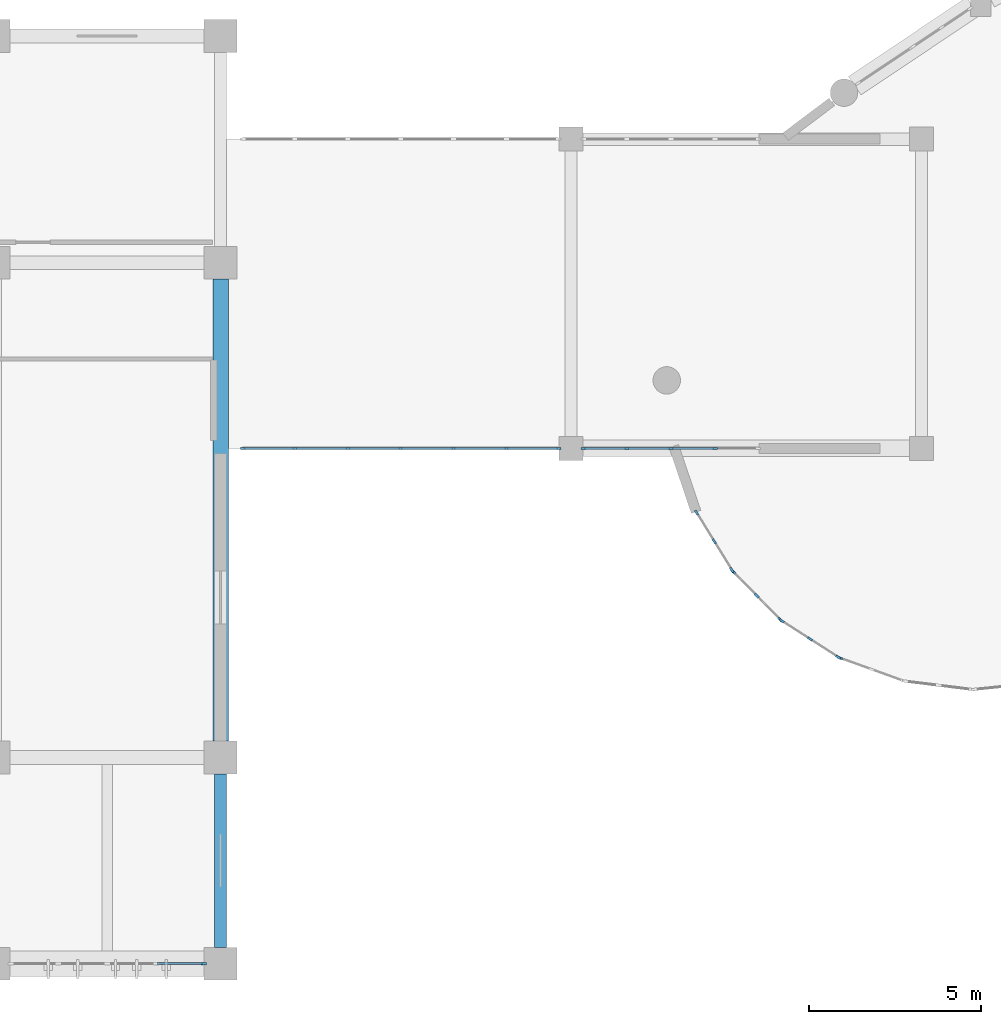
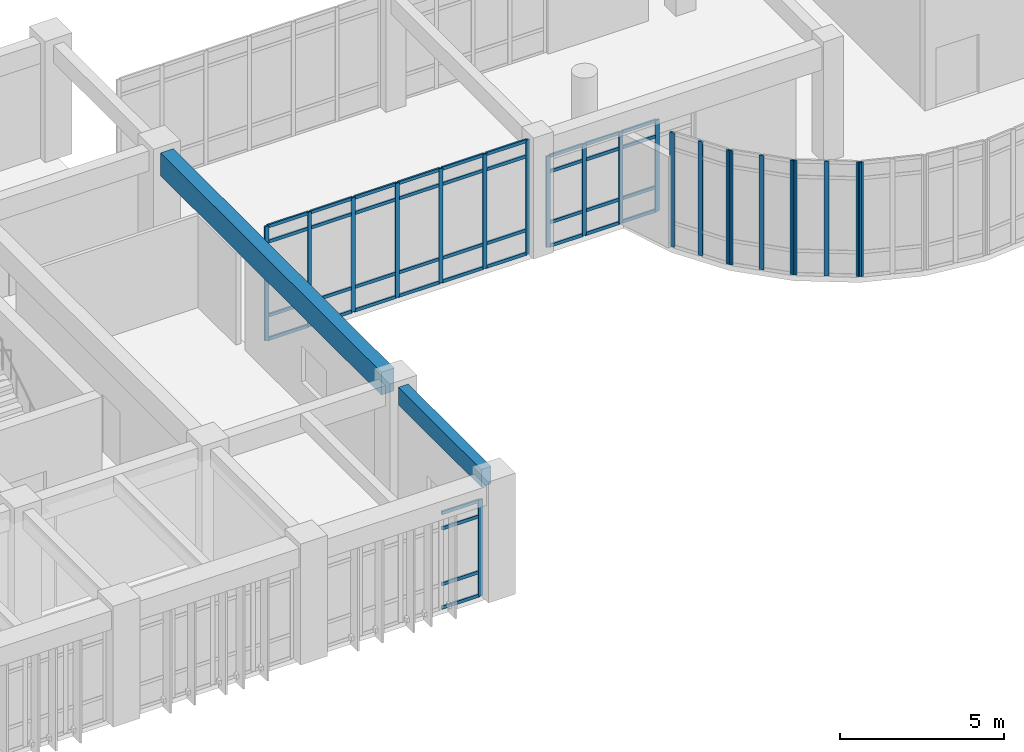
# One storey, part 7 of 57: 62 members, 2 beams, 7 elements without a shape of their own.
"""IFC4 building model written with IfcOpenShell, lengths in metres."""

from ifc_helpers import new_model, si_unit, direction, frame, origin, origin_2d, place, context, subcontext, project, spatial, rectangle, extrude, material, layer, layer_set, material_profile, profile_set, type_object, element, aggregate, save


model = new_model("IFC4")

# Units and contexts
model_context = context("Model", 3, precision=1e-05, world=origin(), true_north=direction((0.0, 1.0)))
body_context = subcontext(model_context, "Body", "Model", "MODEL_VIEW")
ifc_project = project(units=[si_unit("LENGTHUNIT", "METRE"), si_unit("AREAUNIT", "SQUARE_METRE"), si_unit("VOLUMEUNIT", "CUBIC_METRE"), si_unit("PLANEANGLEUNIT", "RADIAN"), si_unit("MASSUNIT", "GRAM", prefix="KILO")], contexts=[model_context])

# Site, building, storey
site_placement = place(None, origin())
site = spatial("IfcSite", under=ifc_project, at=site_placement, CompositionType="ELEMENT")
building_placement = place(site_placement, origin())
building = spatial("IfcBuilding", under=site, at=building_placement, Name="Miralva Faculty of Natural Sciences", CompositionType="ELEMENT")
storey_placement = place(building_placement, frame((0.0, 0.0, 15.0)))
storey = spatial("IfcBuildingStorey", under=building, at=storey_placement, Name="L03", CompositionType="ELEMENT", Elevation=15.0)

# Beams
ifc_material_1 = material(Name="Concrete C40/50", Category="concrete")
ifc_material_profile_1 = material_profile(ifc_material_1, rectangle(XDim=0.449951171875, YDim=0.85009765625, at=origin_2d()), Name="RC 450x850")
ifc_profile_set_1 = profile_set([ifc_material_profile_1], Name="Concrete C40/50")
beam_type_1 = type_object("IfcBeamType", Name="BM-B01", PredefinedType="BEAM", material=ifc_profile_set_1)
beam_1_placement = place(storey_placement, frame((36.0, 9.47509765625, 3.85498046875), z_axis=(0.0, 1.0, 0.0), x_axis=(-1.0, 0.0, 0.0)))
element("IfcBeam", 1, at=beam_1_placement, inside=storey, type_object=beam_type_1, Name="Girder NS L03-108", PredefinedType="BEAM", context=body_context, shape_type="SweptSolid", body=[
    extrude(rectangle(XDim=0.449951171875, YDim=0.85009765625, at=origin_2d()), origin(), (0.0, 0.0, 1.0), 13.449951171875),
])
ifc_material_profile_2 = material_profile(ifc_material_1, rectangle(XDim=0.35009765625, YDim=0.64990234375, at=origin_2d()), Name="RC 350x650")
ifc_profile_set_2 = profile_set([ifc_material_profile_2], Name="Concrete C40/50")
beam_type_2 = type_object("IfcBeamType", Name="BM-B05", PredefinedType="BEAM", material=ifc_profile_set_2)
beam_2_placement = place(storey_placement, frame((36.0, 3.47509765625, 3.955078125), z_axis=(0.0, 1.0, 0.0), x_axis=(-1.0, 0.0, 0.0)))
element("IfcBeam", 2, at=beam_2_placement, inside=storey, type_object=beam_type_2, Name="Girder NS L03-107", PredefinedType="BEAM", context=body_context, shape_type="SweptSolid", body=[
    extrude(rectangle(XDim=0.35009765625, YDim=0.64990234375, at=origin_2d()), origin(), (0.0, 0.0, 1.0), 5.0498046875),
])

# Curtain wall, member
ifc_material_2 = material(Name="Laminated solar-control glass", Category="glass")
ifc_layer_1 = layer(ifc_material_2, 0.179931640625, Name="CW-RND-L03")
ifc_layer_set_1 = layer_set([ifc_layer_1], Name="Laminated solar-control glass")
curtain_wall_type_1 = type_object("IfcCurtainWallType", Name="CW-RND-L03", PredefinedType="USERDEFINED", material=ifc_layer_set_1)
curtain_wall_1_placement = place(storey_placement, origin())
curtain_wall_1 = element("IfcCurtainWall", 3, at=curtain_wall_1_placement, inside=storey, type_object=curtain_wall_type_1, Name="Curtain wall CW-06 L03-145", ObjectType="UNITISED CURTAIN WALL", PredefinedType="USERDEFINED")
ifc_material_3 = material(Name="Anodised aluminium", Category="aluminium")
ifc_material_profile_3 = material_profile(ifc_material_3, rectangle(XDim=0.06494140625, YDim=0.159912109375, at=origin_2d()), Name="MULLION 65x160")
ifc_profile_set_3 = profile_set([ifc_material_profile_3], Name="Anodised aluminium")
member_type_1 = type_object("IfcMemberType", Name="CW-M02", PredefinedType="MULLION", material=ifc_profile_set_3)
member_1_placement = place(storey_placement, frame((54.030517578125, 11.896240234375, 0.0), z_axis=(0.0, 0.0, 1.0), x_axis=(0.339695547876, 0.940535451088, 0.0)))
member_1 = element("IfcMember", 4, at=member_1_placement, type_object=member_type_1, Name="CW-06 mullion 1", PredefinedType="MULLION", context=body_context, shape_type="SweptSolid", body=[
    extrude(rectangle(XDim=0.06494140625, YDim=0.159912109375, at=origin_2d()), origin(), (0.0, 0.0, 1.0), 4.25),
])
aggregate(curtain_wall_1, [member_1])

# Curtain wall, members
curtain_wall_2_placement = place(storey_placement, origin())
curtain_wall_2 = element("IfcCurtainWall", 5, at=curtain_wall_2_placement, inside=storey, type_object=curtain_wall_type_1, Name="Curtain wall CW-06 L03-146", ObjectType="UNITISED CURTAIN WALL", PredefinedType="USERDEFINED")
member_2_placement = place(storey_placement, frame((52.33154296875, 12.978759765625, 0.0), z_axis=(0.0, 0.0, 1.0), x_axis=(0.540444854725, 0.841379438185, 0.0)))
member_2 = element("IfcMember", 6, at=member_2_placement, type_object=member_type_1, Name="CW-06 mullion 1", PredefinedType="MULLION", context=body_context, shape_type="SweptSolid", body=[
    extrude(rectangle(XDim=0.06494140625, YDim=0.159912109375, at=origin_2d()), origin(), (0.0, 0.0, 1.0), 4.25),
])
member_3_placement = place(storey_placement, frame((53.154296875, 12.450439453125, 0.0), z_axis=(0.0, 0.0, 1.0), x_axis=(0.540444854725, 0.841379438185, 0.0)))
member_3 = element("IfcMember", 7, at=member_3_placement, type_object=member_type_1, Name="CW-06 mullion 2", PredefinedType="MULLION", context=body_context, shape_type="SweptSolid", body=[
    extrude(rectangle(XDim=0.06494140625, YDim=0.159912109375, at=origin_2d()), origin(), (0.0, 0.0, 1.0), 4.25),
])
member_4_placement = place(storey_placement, frame((53.976806640625, 11.922119140625, 0.0), z_axis=(0.0, 0.0, 1.0), x_axis=(0.540444854725, 0.841379438185, 0.0)))
member_4 = element("IfcMember", 8, at=member_4_placement, type_object=member_type_1, Name="CW-06 mullion 3", PredefinedType="MULLION", context=body_context, shape_type="SweptSolid", body=[
    extrude(rectangle(XDim=0.06494140625, YDim=0.159912109375, at=origin_2d()), origin(), (0.0, 0.0, 1.0), 4.25),
])
aggregate(curtain_wall_2, [member_2, member_3, member_4])

curtain_wall_3_placement = place(storey_placement, origin())
curtain_wall_3 = element("IfcCurtainWall", 9, at=curtain_wall_3_placement, inside=storey, type_object=curtain_wall_type_1, Name="Curtain wall CW-06 L03-147", ObjectType="UNITISED CURTAIN WALL", PredefinedType="USERDEFINED")
member_5_placement = place(storey_placement, frame((50.916259765625, 14.412353515625, 0.0), z_axis=(0.0, 0.0, 1.0), x_axis=(0.714124749017, 0.700018458929, 0.0)))
member_5 = element("IfcMember", 10, at=member_5_placement, type_object=member_type_1, Name="CW-06 mullion 1", PredefinedType="MULLION", context=body_context, shape_type="SweptSolid", body=[
    extrude(rectangle(XDim=0.06494140625, YDim=0.159912109375, at=origin_2d()), origin(), (0.0, 0.0, 1.0), 4.25),
])
member_6_placement = place(storey_placement, frame((51.6005859375, 13.714111328125, 0.0), z_axis=(0.0, 0.0, 1.0), x_axis=(0.714124749017, 0.700018458929, 0.0)))
member_6 = element("IfcMember", 11, at=member_6_placement, type_object=member_type_1, Name="CW-06 mullion 2", PredefinedType="MULLION", context=body_context, shape_type="SweptSolid", body=[
    extrude(rectangle(XDim=0.06494140625, YDim=0.159912109375, at=origin_2d()), origin(), (0.0, 0.0, 1.0), 4.25),
])
member_7_placement = place(storey_placement, frame((52.28515625, 13.01611328125, 0.0), z_axis=(0.0, 0.0, 1.0), x_axis=(0.714124749017, 0.700018458929, 0.0)))
member_7 = element("IfcMember", 12, at=member_7_placement, type_object=member_type_1, Name="CW-06 mullion 3", PredefinedType="MULLION", context=body_context, shape_type="SweptSolid", body=[
    extrude(rectangle(XDim=0.06494140625, YDim=0.159912109375, at=origin_2d()), origin(), (0.0, 0.0, 1.0), 4.25),
])
aggregate(curtain_wall_3, [member_5, member_6, member_7])

curtain_wall_4_placement = place(storey_placement, origin())
curtain_wall_4 = element("IfcCurtainWall", 13, at=curtain_wall_4_placement, inside=storey, type_object=curtain_wall_type_1, Name="Curtain wall CW-06 L03-148", ObjectType="UNITISED CURTAIN WALL", PredefinedType="USERDEFINED")
member_8_placement = place(storey_placement, frame((49.855224609375, 16.125, 0.0), z_axis=(0.0, 0.0, 1.0), x_axis=(0.851994617353, 0.523550543884, 0.0)))
member_8 = element("IfcMember", 14, at=member_8_placement, type_object=member_type_1, Name="CW-06 mullion 1", PredefinedType="MULLION", context=body_context, shape_type="SweptSolid", body=[
    extrude(rectangle(XDim=0.06494140625, YDim=0.159912109375, at=origin_2d()), origin(), (0.0, 0.0, 1.0), 4.25),
])
member_9_placement = place(storey_placement, frame((50.3671875, 15.2919921875, 0.0), z_axis=(0.0, 0.0, 1.0), x_axis=(0.851994617353, 0.523550543884, 0.0)))
member_9 = element("IfcMember", 15, at=member_9_placement, type_object=member_type_1, Name="CW-06 mullion 2", PredefinedType="MULLION", context=body_context, shape_type="SweptSolid", body=[
    extrude(rectangle(XDim=0.06494140625, YDim=0.159912109375, at=origin_2d()), origin(), (0.0, 0.0, 1.0), 4.25),
])
member_10_placement = place(storey_placement, frame((50.879150390625, 14.458984375, 0.0), z_axis=(0.0, 0.0, 1.0), x_axis=(0.851994617353, 0.523550543884, 0.0)))
member_10 = element("IfcMember", 16, at=member_10_placement, type_object=member_type_1, Name="CW-06 mullion 3", PredefinedType="MULLION", context=body_context, shape_type="SweptSolid", body=[
    extrude(rectangle(XDim=0.06494140625, YDim=0.159912109375, at=origin_2d()), origin(), (0.0, 0.0, 1.0), 4.25),
])
aggregate(curtain_wall_4, [member_8, member_9, member_10])

# Curtain wall, member
ifc_layer_2 = layer(ifc_material_2, 0.179931640625, Name="CW-TWR-L03")
ifc_layer_set_2 = layer_set([ifc_layer_2], Name="Laminated solar-control glass")
curtain_wall_type_2 = type_object("IfcCurtainWallType", Name="CW-TWR-L03", PredefinedType="USERDEFINED", material=ifc_layer_set_2)
curtain_wall_5_placement = place(storey_placement, origin())
curtain_wall_5 = element("IfcCurtainWall", 17, at=curtain_wall_5_placement, inside=storey, type_object=curtain_wall_type_2, Name="Curtain wall CW-14 L03-227", ObjectType="UNITISED CURTAIN WALL", PredefinedType="USERDEFINED")
member_11_placement = place(storey_placement, frame((35.512451171875, 3.0, 0.0), z_axis=(0.0, 0.0, 1.0), x_axis=(0.0, 1.0, 0.0)))
member_11 = element("IfcMember", 18, at=member_11_placement, type_object=member_type_1, Name="CW-14 mullion 5", PredefinedType="MULLION", context=body_context, shape_type="SweptSolid", body=[
    extrude(rectangle(XDim=0.06494140625, YDim=0.159912109375, at=origin_2d()), origin(), (0.0, 0.0, 1.0), 3.574951171875),
])

# Curtain wall, members
ifc_layer_3 = layer(ifc_material_2, 0.179931640625, Name="CW-COM-L01")
ifc_layer_set_3 = layer_set([ifc_layer_3], Name="Laminated solar-control glass")
curtain_wall_type_3 = type_object("IfcCurtainWallType", Name="CW-COM-L01", PredefinedType="USERDEFINED", material=ifc_layer_set_3)
curtain_wall_6_placement = place(storey_placement, origin())
curtain_wall_6 = element("IfcCurtainWall", 19, at=curtain_wall_6_placement, inside=storey, type_object=curtain_wall_type_3, Name="Curtain wall CW-10 L03-300", ObjectType="UNITISED CURTAIN WALL", PredefinedType="USERDEFINED")
ifc_material_profile_4 = material_profile(ifc_material_3, rectangle(XDim=0.06005859375, YDim=0.139892578125, at=origin_2d()), Name="MULLION 60x140")
ifc_profile_set_4 = profile_set([ifc_material_profile_4], Name="Anodised aluminium")
member_type_2 = type_object("IfcMemberType", Name="CW-M03", PredefinedType="MULLION", material=ifc_profile_set_4)
member_12_placement = place(storey_placement, frame((36.64990234375, 18.0, 0.0), z_axis=(0.0, 0.0, 1.0), x_axis=(0.0, 1.0, 0.0)))
member_12 = element("IfcMember", 20, at=member_12_placement, type_object=member_type_2, Name="CW-10 mullion 1", PredefinedType="MULLION", context=body_context, shape_type="SweptSolid", body=[
    extrude(rectangle(XDim=0.06005859375, YDim=0.139892578125, at=origin_2d()), origin(), (0.0, 0.0, 1.0), 4.25),
])
member_13_placement = place(storey_placement, frame((38.160888671875, 18.0, 0.0), z_axis=(0.0, 0.0, 1.0), x_axis=(0.0, 1.0, 0.0)))
member_13 = element("IfcMember", 21, at=member_13_placement, type_object=member_type_2, Name="CW-10 mullion 2", PredefinedType="MULLION", context=body_context, shape_type="SweptSolid", body=[
    extrude(rectangle(XDim=0.06005859375, YDim=0.139892578125, at=origin_2d()), origin(), (0.0, 0.0, 1.0), 4.25),
])
member_14_placement = place(storey_placement, frame((39.70166015625, 18.0, 0.0), z_axis=(0.0, 0.0, 1.0), x_axis=(0.0, 1.0, 0.0)))
member_14 = element("IfcMember", 22, at=member_14_placement, type_object=member_type_2, Name="CW-10 mullion 3", PredefinedType="MULLION", context=body_context, shape_type="SweptSolid", body=[
    extrude(rectangle(XDim=0.06005859375, YDim=0.139892578125, at=origin_2d()), origin(), (0.0, 0.0, 1.0), 4.25),
])
member_15_placement = place(storey_placement, frame((41.242431640625, 18.0, 0.0), z_axis=(0.0, 0.0, 1.0), x_axis=(0.0, 1.0, 0.0)))
member_15 = element("IfcMember", 23, at=member_15_placement, type_object=member_type_2, Name="CW-10 mullion 4", PredefinedType="MULLION", context=body_context, shape_type="SweptSolid", body=[
    extrude(rectangle(XDim=0.06005859375, YDim=0.139892578125, at=origin_2d()), origin(), (0.0, 0.0, 1.0), 4.25),
])
member_16_placement = place(storey_placement, frame((42.783447265625, 18.0, 0.0), z_axis=(0.0, 0.0, 1.0), x_axis=(0.0, 1.0, 0.0)))
member_16 = element("IfcMember", 24, at=member_16_placement, type_object=member_type_2, Name="CW-10 mullion 5", PredefinedType="MULLION", context=body_context, shape_type="SweptSolid", body=[
    extrude(rectangle(XDim=0.06005859375, YDim=0.139892578125, at=origin_2d()), origin(), (0.0, 0.0, 1.0), 4.25),
])
member_17_placement = place(storey_placement, frame((44.32421875, 18.0, 0.0), z_axis=(0.0, 0.0, 1.0), x_axis=(0.0, 1.0, 0.0)))
member_17 = element("IfcMember", 25, at=member_17_placement, type_object=member_type_2, Name="CW-10 mullion 6", PredefinedType="MULLION", context=body_context, shape_type="SweptSolid", body=[
    extrude(rectangle(XDim=0.06005859375, YDim=0.139892578125, at=origin_2d()), origin(), (0.0, 0.0, 1.0), 4.25),
])
member_18_placement = place(storey_placement, frame((45.8349609375, 18.0, 0.0), z_axis=(0.0, 0.0, 1.0), x_axis=(0.0, 1.0, 0.0)))
member_18 = element("IfcMember", 26, at=member_18_placement, type_object=member_type_2, Name="CW-10 mullion 7", PredefinedType="MULLION", context=body_context, shape_type="SweptSolid", body=[
    extrude(rectangle(XDim=0.06005859375, YDim=0.139892578125, at=origin_2d()), origin(), (0.0, 0.0, 1.0), 4.25),
])

curtain_wall_7_placement = place(storey_placement, origin())
curtain_wall_7 = element("IfcCurtainWall", 27, at=curtain_wall_7_placement, inside=storey, type_object=curtain_wall_type_3, Name="Curtain wall CW-10 L03-301", ObjectType="UNITISED CURTAIN WALL", PredefinedType="USERDEFINED")
member_19_placement = place(storey_placement, frame((46.56494140625, 18.0, 0.0), z_axis=(0.0, 0.0, 1.0), x_axis=(0.0, 1.0, 0.0)))
member_19 = element("IfcMember", 28, at=member_19_placement, type_object=member_type_2, Name="CW-10 mullion 1", PredefinedType="MULLION", context=body_context, shape_type="SweptSolid", body=[
    extrude(rectangle(XDim=0.06005859375, YDim=0.139892578125, at=origin_2d()), origin(), (0.0, 0.0, 1.0), 3.39501953125),
])
member_20_placement = place(storey_placement, frame((47.8212890625, 18.0, 0.0), z_axis=(0.0, 0.0, 1.0), x_axis=(0.0, 1.0, 0.0)))
member_20 = element("IfcMember", 29, at=member_20_placement, type_object=member_type_2, Name="CW-10 mullion 2", PredefinedType="MULLION", context=body_context, shape_type="SweptSolid", body=[
    extrude(rectangle(XDim=0.06005859375, YDim=0.139892578125, at=origin_2d()), origin(), (0.0, 0.0, 1.0), 3.39501953125),
])
member_21_placement = place(storey_placement, frame((49.107421875, 18.0, 0.0), z_axis=(0.0, 0.0, 1.0), x_axis=(0.0, 1.0, 0.0)))
member_21 = element("IfcMember", 30, at=member_21_placement, type_object=member_type_2, Name="CW-10 mullion 3", PredefinedType="MULLION", context=body_context, shape_type="SweptSolid", body=[
    extrude(rectangle(XDim=0.06005859375, YDim=0.139892578125, at=origin_2d()), origin(), (0.0, 0.0, 1.0), 3.39501953125),
])
member_22_placement = place(storey_placement, frame((50.393798828125, 18.0, 0.0), z_axis=(0.0, 0.0, 1.0), x_axis=(0.0, 1.0, 0.0)))
member_22 = element("IfcMember", 31, at=member_22_placement, type_object=member_type_2, Name="CW-10 mullion 4", PredefinedType="MULLION", context=body_context, shape_type="SweptSolid", body=[
    extrude(rectangle(XDim=0.06005859375, YDim=0.139892578125, at=origin_2d()), origin(), (0.0, 0.0, 1.0), 3.39501953125),
])

# Member
ifc_material_profile_5 = material_profile(ifc_material_3, rectangle(XDim=0.06005859375, YDim=0.1201171875, at=origin_2d()), Name="TRANSOM 60x120")
ifc_profile_set_5 = profile_set([ifc_material_profile_5], Name="Anodised aluminium")
member_type_3 = type_object("IfcMemberType", Name="CW-T02", PredefinedType="USERDEFINED", material=ifc_profile_set_5)
member_23_placement = place(storey_placement, frame((34.155029296875, 3.0, 0.030029296875), z_axis=(1.0, 0.0, 0.0), x_axis=(0.0, 1.0, 0.0)))
member_23 = element("IfcMember", 32, at=member_23_placement, type_object=member_type_3, Name="CW-14 transom 4.1", ObjectType="TRANSOM", PredefinedType="USERDEFINED", context=body_context, shape_type="SweptSolid", body=[
    extrude(rectangle(XDim=0.06005859375, YDim=0.1201171875, at=origin_2d()), origin(), (0.0, 0.0, 1.0), 1.324951171875),
])

member_24_placement = place(storey_placement, frame((34.155029296875, 3.0, 0.89990234375), z_axis=(1.0, 0.0, 0.0), x_axis=(0.0, 1.0, 0.0)))
member_24 = element("IfcMember", 33, at=member_24_placement, type_object=member_type_3, Name="CW-14 transom 4.2", ObjectType="TRANSOM", PredefinedType="USERDEFINED", context=body_context, shape_type="SweptSolid", body=[
    extrude(rectangle(XDim=0.06005859375, YDim=0.1201171875, at=origin_2d()), origin(), (0.0, 0.0, 1.0), 1.324951171875),
])

member_25_placement = place(storey_placement, frame((34.155029296875, 3.0, 2.97509765625), z_axis=(1.0, 0.0, 0.0), x_axis=(0.0, 1.0, 0.0)))
member_25 = element("IfcMember", 34, at=member_25_placement, type_object=member_type_3, Name="CW-14 transom 4.3", ObjectType="TRANSOM", PredefinedType="USERDEFINED", context=body_context, shape_type="SweptSolid", body=[
    extrude(rectangle(XDim=0.06005859375, YDim=0.1201171875, at=origin_2d()), origin(), (0.0, 0.0, 1.0), 1.324951171875),
])

member_26_placement = place(storey_placement, frame((34.155029296875, 3.0, 3.544921875), z_axis=(1.0, 0.0, 0.0), x_axis=(0.0, 1.0, 0.0)))
member_26 = element("IfcMember", 35, at=member_26_placement, type_object=member_type_3, Name="CW-14 transom 4.4", ObjectType="TRANSOM", PredefinedType="USERDEFINED", context=body_context, shape_type="SweptSolid", body=[
    extrude(rectangle(XDim=0.06005859375, YDim=0.1201171875, at=origin_2d()), origin(), (0.0, 0.0, 1.0), 1.324951171875),
])

aggregate(curtain_wall_5, [member_11, member_23, member_24, member_25, member_26])

member_27_placement = place(storey_placement, frame((36.679931640625, 18.0, 0.030029296875), z_axis=(1.0, 0.0, 0.0), x_axis=(0.0, 1.0, 0.0)))
member_27 = element("IfcMember", 36, at=member_27_placement, type_object=member_type_3, Name="CW-10 transom 1.1", ObjectType="TRANSOM", PredefinedType="USERDEFINED", context=body_context, shape_type="SweptSolid", body=[
    extrude(rectangle(XDim=0.06005859375, YDim=0.1201171875, at=origin_2d()), origin(), (0.0, 0.0, 1.0), 1.450927734375),
])

member_28_placement = place(storey_placement, frame((36.679931640625, 18.0, 0.89990234375), z_axis=(1.0, 0.0, 0.0), x_axis=(0.0, 1.0, 0.0)))
member_28 = element("IfcMember", 37, at=member_28_placement, type_object=member_type_3, Name="CW-10 transom 1.2", ObjectType="TRANSOM", PredefinedType="USERDEFINED", context=body_context, shape_type="SweptSolid", body=[
    extrude(rectangle(XDim=0.06005859375, YDim=0.1201171875, at=origin_2d()), origin(), (0.0, 0.0, 1.0), 1.450927734375),
])

member_29_placement = place(storey_placement, frame((36.679931640625, 18.0, 3.64990234375), z_axis=(1.0, 0.0, 0.0), x_axis=(0.0, 1.0, 0.0)))
member_29 = element("IfcMember", 38, at=member_29_placement, type_object=member_type_3, Name="CW-10 transom 1.3", ObjectType="TRANSOM", PredefinedType="USERDEFINED", context=body_context, shape_type="SweptSolid", body=[
    extrude(rectangle(XDim=0.06005859375, YDim=0.1201171875, at=origin_2d()), origin(), (0.0, 0.0, 1.0), 1.450927734375),
])

member_30_placement = place(storey_placement, frame((36.679931640625, 18.0, 4.219970703125), z_axis=(1.0, 0.0, 0.0), x_axis=(0.0, 1.0, 0.0)))
member_30 = element("IfcMember", 39, at=member_30_placement, type_object=member_type_3, Name="CW-10 transom 1.4", ObjectType="TRANSOM", PredefinedType="USERDEFINED", context=body_context, shape_type="SweptSolid", body=[
    extrude(rectangle(XDim=0.06005859375, YDim=0.1201171875, at=origin_2d()), origin(), (0.0, 0.0, 1.0), 1.450927734375),
])

member_31_placement = place(storey_placement, frame((38.19091796875, 18.0, 0.030029296875), z_axis=(1.0, 0.0, 0.0), x_axis=(0.0, 1.0, 0.0)))
member_31 = element("IfcMember", 40, at=member_31_placement, type_object=member_type_3, Name="CW-10 transom 2.1", ObjectType="TRANSOM", PredefinedType="USERDEFINED", context=body_context, shape_type="SweptSolid", body=[
    extrude(rectangle(XDim=0.06005859375, YDim=0.1201171875, at=origin_2d()), origin(), (0.0, 0.0, 1.0), 1.480712890625),
])

member_32_placement = place(storey_placement, frame((38.19091796875, 18.0, 0.89990234375), z_axis=(1.0, 0.0, 0.0), x_axis=(0.0, 1.0, 0.0)))
member_32 = element("IfcMember", 41, at=member_32_placement, type_object=member_type_3, Name="CW-10 transom 2.2", ObjectType="TRANSOM", PredefinedType="USERDEFINED", context=body_context, shape_type="SweptSolid", body=[
    extrude(rectangle(XDim=0.06005859375, YDim=0.1201171875, at=origin_2d()), origin(), (0.0, 0.0, 1.0), 1.480712890625),
])

member_33_placement = place(storey_placement, frame((38.19091796875, 18.0, 3.64990234375), z_axis=(1.0, 0.0, 0.0), x_axis=(0.0, 1.0, 0.0)))
member_33 = element("IfcMember", 42, at=member_33_placement, type_object=member_type_3, Name="CW-10 transom 2.3", ObjectType="TRANSOM", PredefinedType="USERDEFINED", context=body_context, shape_type="SweptSolid", body=[
    extrude(rectangle(XDim=0.06005859375, YDim=0.1201171875, at=origin_2d()), origin(), (0.0, 0.0, 1.0), 1.480712890625),
])

member_34_placement = place(storey_placement, frame((38.19091796875, 18.0, 4.219970703125), z_axis=(1.0, 0.0, 0.0), x_axis=(0.0, 1.0, 0.0)))
member_34 = element("IfcMember", 43, at=member_34_placement, type_object=member_type_3, Name="CW-10 transom 2.4", ObjectType="TRANSOM", PredefinedType="USERDEFINED", context=body_context, shape_type="SweptSolid", body=[
    extrude(rectangle(XDim=0.06005859375, YDim=0.1201171875, at=origin_2d()), origin(), (0.0, 0.0, 1.0), 1.480712890625),
])

member_35_placement = place(storey_placement, frame((39.731689453125, 18.0, 0.030029296875), z_axis=(1.0, 0.0, 0.0), x_axis=(0.0, 1.0, 0.0)))
member_35 = element("IfcMember", 44, at=member_35_placement, type_object=member_type_3, Name="CW-10 transom 3.1", ObjectType="TRANSOM", PredefinedType="USERDEFINED", context=body_context, shape_type="SweptSolid", body=[
    extrude(rectangle(XDim=0.06005859375, YDim=0.1201171875, at=origin_2d()), origin(), (0.0, 0.0, 1.0), 1.480712890625),
])

member_36_placement = place(storey_placement, frame((39.731689453125, 18.0, 0.89990234375), z_axis=(1.0, 0.0, 0.0), x_axis=(0.0, 1.0, 0.0)))
member_36 = element("IfcMember", 45, at=member_36_placement, type_object=member_type_3, Name="CW-10 transom 3.2", ObjectType="TRANSOM", PredefinedType="USERDEFINED", context=body_context, shape_type="SweptSolid", body=[
    extrude(rectangle(XDim=0.06005859375, YDim=0.1201171875, at=origin_2d()), origin(), (0.0, 0.0, 1.0), 1.480712890625),
])

member_37_placement = place(storey_placement, frame((39.731689453125, 18.0, 3.64990234375), z_axis=(1.0, 0.0, 0.0), x_axis=(0.0, 1.0, 0.0)))
member_37 = element("IfcMember", 46, at=member_37_placement, type_object=member_type_3, Name="CW-10 transom 3.3", ObjectType="TRANSOM", PredefinedType="USERDEFINED", context=body_context, shape_type="SweptSolid", body=[
    extrude(rectangle(XDim=0.06005859375, YDim=0.1201171875, at=origin_2d()), origin(), (0.0, 0.0, 1.0), 1.480712890625),
])

member_38_placement = place(storey_placement, frame((39.731689453125, 18.0, 4.219970703125), z_axis=(1.0, 0.0, 0.0), x_axis=(0.0, 1.0, 0.0)))
member_38 = element("IfcMember", 47, at=member_38_placement, type_object=member_type_3, Name="CW-10 transom 3.4", ObjectType="TRANSOM", PredefinedType="USERDEFINED", context=body_context, shape_type="SweptSolid", body=[
    extrude(rectangle(XDim=0.06005859375, YDim=0.1201171875, at=origin_2d()), origin(), (0.0, 0.0, 1.0), 1.480712890625),
])

member_39_placement = place(storey_placement, frame((41.2724609375, 18.0, 0.030029296875), z_axis=(1.0, 0.0, 0.0), x_axis=(0.0, 1.0, 0.0)))
member_39 = element("IfcMember", 48, at=member_39_placement, type_object=member_type_3, Name="CW-10 transom 4.1", ObjectType="TRANSOM", PredefinedType="USERDEFINED", context=body_context, shape_type="SweptSolid", body=[
    extrude(rectangle(XDim=0.06005859375, YDim=0.1201171875, at=origin_2d()), origin(), (0.0, 0.0, 1.0), 1.48095703125),
])

member_40_placement = place(storey_placement, frame((41.2724609375, 18.0, 0.89990234375), z_axis=(1.0, 0.0, 0.0), x_axis=(0.0, 1.0, 0.0)))
member_40 = element("IfcMember", 49, at=member_40_placement, type_object=member_type_3, Name="CW-10 transom 4.2", ObjectType="TRANSOM", PredefinedType="USERDEFINED", context=body_context, shape_type="SweptSolid", body=[
    extrude(rectangle(XDim=0.06005859375, YDim=0.1201171875, at=origin_2d()), origin(), (0.0, 0.0, 1.0), 1.48095703125),
])

member_41_placement = place(storey_placement, frame((41.2724609375, 18.0, 3.64990234375), z_axis=(1.0, 0.0, 0.0), x_axis=(0.0, 1.0, 0.0)))
member_41 = element("IfcMember", 50, at=member_41_placement, type_object=member_type_3, Name="CW-10 transom 4.3", ObjectType="TRANSOM", PredefinedType="USERDEFINED", context=body_context, shape_type="SweptSolid", body=[
    extrude(rectangle(XDim=0.06005859375, YDim=0.1201171875, at=origin_2d()), origin(), (0.0, 0.0, 1.0), 1.48095703125),
])

member_42_placement = place(storey_placement, frame((41.2724609375, 18.0, 4.219970703125), z_axis=(1.0, 0.0, 0.0), x_axis=(0.0, 1.0, 0.0)))
member_42 = element("IfcMember", 51, at=member_42_placement, type_object=member_type_3, Name="CW-10 transom 4.4", ObjectType="TRANSOM", PredefinedType="USERDEFINED", context=body_context, shape_type="SweptSolid", body=[
    extrude(rectangle(XDim=0.06005859375, YDim=0.1201171875, at=origin_2d()), origin(), (0.0, 0.0, 1.0), 1.48095703125),
])

member_43_placement = place(storey_placement, frame((42.813232421875, 18.0, 0.030029296875), z_axis=(1.0, 0.0, 0.0), x_axis=(0.0, 1.0, 0.0)))
member_43 = element("IfcMember", 52, at=member_43_placement, type_object=member_type_3, Name="CW-10 transom 5.1", ObjectType="TRANSOM", PredefinedType="USERDEFINED", context=body_context, shape_type="SweptSolid", body=[
    extrude(rectangle(XDim=0.06005859375, YDim=0.1201171875, at=origin_2d()), origin(), (0.0, 0.0, 1.0), 1.48095703125),
])

member_44_placement = place(storey_placement, frame((42.813232421875, 18.0, 0.89990234375), z_axis=(1.0, 0.0, 0.0), x_axis=(0.0, 1.0, 0.0)))
member_44 = element("IfcMember", 53, at=member_44_placement, type_object=member_type_3, Name="CW-10 transom 5.2", ObjectType="TRANSOM", PredefinedType="USERDEFINED", context=body_context, shape_type="SweptSolid", body=[
    extrude(rectangle(XDim=0.06005859375, YDim=0.1201171875, at=origin_2d()), origin(), (0.0, 0.0, 1.0), 1.48095703125),
])

member_45_placement = place(storey_placement, frame((42.813232421875, 18.0, 3.64990234375), z_axis=(1.0, 0.0, 0.0), x_axis=(0.0, 1.0, 0.0)))
member_45 = element("IfcMember", 54, at=member_45_placement, type_object=member_type_3, Name="CW-10 transom 5.3", ObjectType="TRANSOM", PredefinedType="USERDEFINED", context=body_context, shape_type="SweptSolid", body=[
    extrude(rectangle(XDim=0.06005859375, YDim=0.1201171875, at=origin_2d()), origin(), (0.0, 0.0, 1.0), 1.48095703125),
])

member_46_placement = place(storey_placement, frame((42.813232421875, 18.0, 4.219970703125), z_axis=(1.0, 0.0, 0.0), x_axis=(0.0, 1.0, 0.0)))
member_46 = element("IfcMember", 55, at=member_46_placement, type_object=member_type_3, Name="CW-10 transom 5.4", ObjectType="TRANSOM", PredefinedType="USERDEFINED", context=body_context, shape_type="SweptSolid", body=[
    extrude(rectangle(XDim=0.06005859375, YDim=0.1201171875, at=origin_2d()), origin(), (0.0, 0.0, 1.0), 1.48095703125),
])

member_47_placement = place(storey_placement, frame((44.354248046875, 18.0, 0.030029296875), z_axis=(1.0, 0.0, 0.0), x_axis=(0.0, 1.0, 0.0)))
member_47 = element("IfcMember", 56, at=member_47_placement, type_object=member_type_3, Name="CW-10 transom 6.1", ObjectType="TRANSOM", PredefinedType="USERDEFINED", context=body_context, shape_type="SweptSolid", body=[
    extrude(rectangle(XDim=0.06005859375, YDim=0.1201171875, at=origin_2d()), origin(), (0.0, 0.0, 1.0), 1.45068359375),
])

member_48_placement = place(storey_placement, frame((44.354248046875, 18.0, 0.89990234375), z_axis=(1.0, 0.0, 0.0), x_axis=(0.0, 1.0, 0.0)))
member_48 = element("IfcMember", 57, at=member_48_placement, type_object=member_type_3, Name="CW-10 transom 6.2", ObjectType="TRANSOM", PredefinedType="USERDEFINED", context=body_context, shape_type="SweptSolid", body=[
    extrude(rectangle(XDim=0.06005859375, YDim=0.1201171875, at=origin_2d()), origin(), (0.0, 0.0, 1.0), 1.45068359375),
])

member_49_placement = place(storey_placement, frame((44.354248046875, 18.0, 3.64990234375), z_axis=(1.0, 0.0, 0.0), x_axis=(0.0, 1.0, 0.0)))
member_49 = element("IfcMember", 58, at=member_49_placement, type_object=member_type_3, Name="CW-10 transom 6.3", ObjectType="TRANSOM", PredefinedType="USERDEFINED", context=body_context, shape_type="SweptSolid", body=[
    extrude(rectangle(XDim=0.06005859375, YDim=0.1201171875, at=origin_2d()), origin(), (0.0, 0.0, 1.0), 1.45068359375),
])

member_50_placement = place(storey_placement, frame((44.354248046875, 18.0, 4.219970703125), z_axis=(1.0, 0.0, 0.0), x_axis=(0.0, 1.0, 0.0)))
member_50 = element("IfcMember", 59, at=member_50_placement, type_object=member_type_3, Name="CW-10 transom 6.4", ObjectType="TRANSOM", PredefinedType="USERDEFINED", context=body_context, shape_type="SweptSolid", body=[
    extrude(rectangle(XDim=0.06005859375, YDim=0.1201171875, at=origin_2d()), origin(), (0.0, 0.0, 1.0), 1.45068359375),
])

aggregate(curtain_wall_6, [member_12, member_13, member_14, member_15, member_16, member_17, member_18, member_27, member_28, member_29, member_30, member_31, member_32, member_33, member_34, member_35, member_36, member_37, member_38, member_39, member_40, member_41, member_42, member_43, member_44, member_45, member_46, member_47, member_48, member_49, member_50])

member_51_placement = place(storey_placement, frame((46.594970703125, 18.0, 0.030029296875), z_axis=(1.0, 0.0, 0.0), x_axis=(0.0, 1.0, 0.0)))
member_51 = element("IfcMember", 60, at=member_51_placement, type_object=member_type_3, Name="CW-10 transom 1.1", ObjectType="TRANSOM", PredefinedType="USERDEFINED", context=body_context, shape_type="SweptSolid", body=[
    extrude(rectangle(XDim=0.06005859375, YDim=0.1201171875, at=origin_2d()), origin(), (0.0, 0.0, 1.0), 1.1962890625),
])

member_52_placement = place(storey_placement, frame((46.594970703125, 18.0, 0.89990234375), z_axis=(1.0, 0.0, 0.0), x_axis=(0.0, 1.0, 0.0)))
member_52 = element("IfcMember", 61, at=member_52_placement, type_object=member_type_3, Name="CW-10 transom 1.2", ObjectType="TRANSOM", PredefinedType="USERDEFINED", context=body_context, shape_type="SweptSolid", body=[
    extrude(rectangle(XDim=0.06005859375, YDim=0.1201171875, at=origin_2d()), origin(), (0.0, 0.0, 1.0), 1.1962890625),
])

member_53_placement = place(storey_placement, frame((46.594970703125, 18.0, 2.794921875), z_axis=(1.0, 0.0, 0.0), x_axis=(0.0, 1.0, 0.0)))
member_53 = element("IfcMember", 62, at=member_53_placement, type_object=member_type_3, Name="CW-10 transom 1.3", ObjectType="TRANSOM", PredefinedType="USERDEFINED", context=body_context, shape_type="SweptSolid", body=[
    extrude(rectangle(XDim=0.06005859375, YDim=0.1201171875, at=origin_2d()), origin(), (0.0, 0.0, 1.0), 1.1962890625),
])

member_54_placement = place(storey_placement, frame((46.594970703125, 18.0, 3.364990234375), z_axis=(1.0, 0.0, 0.0), x_axis=(0.0, 1.0, 0.0)))
member_54 = element("IfcMember", 63, at=member_54_placement, type_object=member_type_3, Name="CW-10 transom 1.4", ObjectType="TRANSOM", PredefinedType="USERDEFINED", context=body_context, shape_type="SweptSolid", body=[
    extrude(rectangle(XDim=0.06005859375, YDim=0.1201171875, at=origin_2d()), origin(), (0.0, 0.0, 1.0), 1.1962890625),
])

member_55_placement = place(storey_placement, frame((47.851318359375, 18.0, 0.030029296875), z_axis=(1.0, 0.0, 0.0), x_axis=(0.0, 1.0, 0.0)))
member_55 = element("IfcMember", 64, at=member_55_placement, type_object=member_type_3, Name="CW-10 transom 2.1", ObjectType="TRANSOM", PredefinedType="USERDEFINED", context=body_context, shape_type="SweptSolid", body=[
    extrude(rectangle(XDim=0.06005859375, YDim=0.1201171875, at=origin_2d()), origin(), (0.0, 0.0, 1.0), 1.22607421875),
])

member_56_placement = place(storey_placement, frame((47.851318359375, 18.0, 0.89990234375), z_axis=(1.0, 0.0, 0.0), x_axis=(0.0, 1.0, 0.0)))
member_56 = element("IfcMember", 65, at=member_56_placement, type_object=member_type_3, Name="CW-10 transom 2.2", ObjectType="TRANSOM", PredefinedType="USERDEFINED", context=body_context, shape_type="SweptSolid", body=[
    extrude(rectangle(XDim=0.06005859375, YDim=0.1201171875, at=origin_2d()), origin(), (0.0, 0.0, 1.0), 1.22607421875),
])

member_57_placement = place(storey_placement, frame((47.851318359375, 18.0, 2.794921875), z_axis=(1.0, 0.0, 0.0), x_axis=(0.0, 1.0, 0.0)))
member_57 = element("IfcMember", 66, at=member_57_placement, type_object=member_type_3, Name="CW-10 transom 2.3", ObjectType="TRANSOM", PredefinedType="USERDEFINED", context=body_context, shape_type="SweptSolid", body=[
    extrude(rectangle(XDim=0.06005859375, YDim=0.1201171875, at=origin_2d()), origin(), (0.0, 0.0, 1.0), 1.22607421875),
])

member_58_placement = place(storey_placement, frame((47.851318359375, 18.0, 3.364990234375), z_axis=(1.0, 0.0, 0.0), x_axis=(0.0, 1.0, 0.0)))
member_58 = element("IfcMember", 67, at=member_58_placement, type_object=member_type_3, Name="CW-10 transom 2.4", ObjectType="TRANSOM", PredefinedType="USERDEFINED", context=body_context, shape_type="SweptSolid", body=[
    extrude(rectangle(XDim=0.06005859375, YDim=0.1201171875, at=origin_2d()), origin(), (0.0, 0.0, 1.0), 1.22607421875),
])

member_59_placement = place(storey_placement, frame((49.137451171875, 18.0, 0.030029296875), z_axis=(1.0, 0.0, 0.0), x_axis=(0.0, 1.0, 0.0)))
member_59 = element("IfcMember", 68, at=member_59_placement, type_object=member_type_3, Name="CW-10 transom 3.1", ObjectType="TRANSOM", PredefinedType="USERDEFINED", context=body_context, shape_type="SweptSolid", body=[
    extrude(rectangle(XDim=0.06005859375, YDim=0.1201171875, at=origin_2d()), origin(), (0.0, 0.0, 1.0), 1.226318359375),
])

member_60_placement = place(storey_placement, frame((49.137451171875, 18.0, 0.89990234375), z_axis=(1.0, 0.0, 0.0), x_axis=(0.0, 1.0, 0.0)))
member_60 = element("IfcMember", 69, at=member_60_placement, type_object=member_type_3, Name="CW-10 transom 3.2", ObjectType="TRANSOM", PredefinedType="USERDEFINED", context=body_context, shape_type="SweptSolid", body=[
    extrude(rectangle(XDim=0.06005859375, YDim=0.1201171875, at=origin_2d()), origin(), (0.0, 0.0, 1.0), 1.226318359375),
])

member_61_placement = place(storey_placement, frame((49.137451171875, 18.0, 2.794921875), z_axis=(1.0, 0.0, 0.0), x_axis=(0.0, 1.0, 0.0)))
member_61 = element("IfcMember", 70, at=member_61_placement, type_object=member_type_3, Name="CW-10 transom 3.3", ObjectType="TRANSOM", PredefinedType="USERDEFINED", context=body_context, shape_type="SweptSolid", body=[
    extrude(rectangle(XDim=0.06005859375, YDim=0.1201171875, at=origin_2d()), origin(), (0.0, 0.0, 1.0), 1.226318359375),
])

member_62_placement = place(storey_placement, frame((49.137451171875, 18.0, 3.364990234375), z_axis=(1.0, 0.0, 0.0), x_axis=(0.0, 1.0, 0.0)))
member_62 = element("IfcMember", 71, at=member_62_placement, type_object=member_type_3, Name="CW-10 transom 3.4", ObjectType="TRANSOM", PredefinedType="USERDEFINED", context=body_context, shape_type="SweptSolid", body=[
    extrude(rectangle(XDim=0.06005859375, YDim=0.1201171875, at=origin_2d()), origin(), (0.0, 0.0, 1.0), 1.226318359375),
])

aggregate(curtain_wall_7, [member_19, member_20, member_21, member_22, member_51, member_52, member_53, member_54, member_55, member_56, member_57, member_58, member_59, member_60, member_61, member_62])

save(model, "model.ifc")
